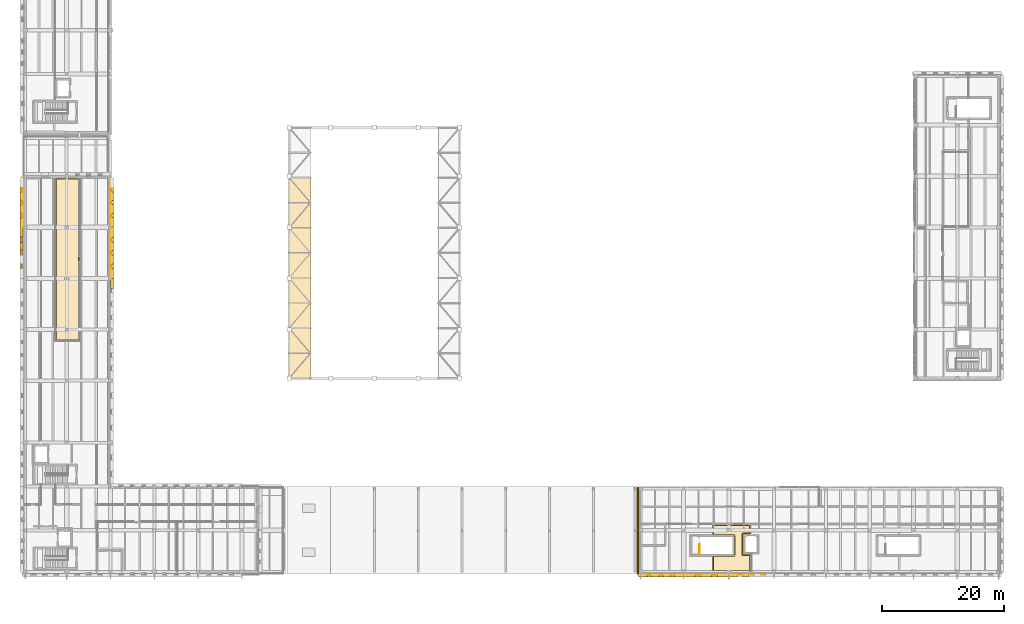
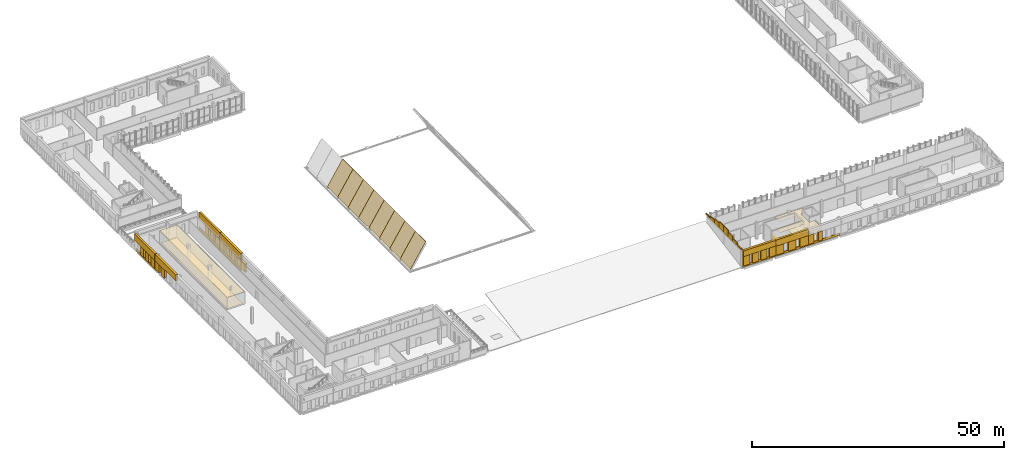
# One storey, part 50 of 56: 54 coverings, 1 railing.
"""IFC4 building model written with IfcOpenShell, lengths in metres."""

import ifcopenshell
import ifcopenshell.guid

model = None  # the IFC model being written
_history = None  # IfcOwnerHistory: only IFC2X3 demands one
_inside = {}  # id of a spatial element -> (the spatial element, [elements in it])
_under = {}  # id of a project, library or spatial element -> (it, [spatial elements below it])
_declared = {}  # id of a project -> (the project, [libraries it declares])
_typed = {}  # id of a type object -> (the type object, [elements of that type])
_made_of = {}  # id of a material, layer set ... -> (it, [elements and type objects made of it])


def new_model(schema):
    """Start an empty IFC model of exactly this schema.

    Asked for "IFC4X3", IfcOpenShell would pick the latest addendum, in which some entities
    have other attributes; the version numbers below select the first issue.
    IFC2X3 requires an IfcOwnerHistory on every rooted entity: one is made here for all.
    """
    global model, _history
    if schema == "IFC4X3":
        model = ifcopenshell.file(schema_version=(4, 3, 0, 0))
    else:
        model = ifcopenshell.file(schema=schema)
    _inside.clear()
    _under.clear()
    _declared.clear()
    _typed.clear()
    _made_of.clear()
    _history = None
    if model.schema == "IFC2X3":
        org = make("IfcOrganization", Name="unknown")
        user = make(
            "IfcPersonAndOrganization",
            ThePerson=make("IfcPerson", FamilyName="unknown"),
            TheOrganization=org,
        )
        app = make(
            "IfcApplication",
            ApplicationDeveloper=org,
            Version="unknown",
            ApplicationFullName="unknown",
            ApplicationIdentifier="unknown",
        )
        _history = make(
            "IfcOwnerHistory",
            OwningUser=user,
            OwningApplication=app,
            ChangeAction="ADDED",
            CreationDate=0,
        )
    return model


def make(cls, **values):
    """One entity of the class cls with the attributes given. An attribute that is None is left unset."""
    return model.create_entity(
        cls, **{name: value for name, value in values.items() if value is not None}
    )


def rooted(cls, **values):
    """An entity with a GlobalId (a new one), such as an element, a storey or a relation."""
    return make(cls, GlobalId=ifcopenshell.guid.new(), OwnerHistory=_history, **values)


def si_unit(unit_type, name, prefix=None):
    """IfcSIUnit, for example si_unit("LENGTHUNIT", "METRE", prefix="MILLI")."""
    return make("IfcSIUnit", UnitType=unit_type, Prefix=prefix, Name=name)


def assignment(units):
    """IfcUnitAssignment: the units of a project."""
    return None if units is None else make("IfcUnitAssignment", Units=units)


def point(xyz):
    """IfcCartesianPoint."""
    return None if xyz is None else make("IfcCartesianPoint", Coordinates=xyz)


def direction(xyz):
    """IfcDirection."""
    return None if xyz is None else make("IfcDirection", DirectionRatios=xyz)


def frame(location, z_axis=None, x_axis=None):
    """IfcAxis2Placement3D, a coordinate frame: its origin and axes. An axis left out is left unset."""
    return make(
        "IfcAxis2Placement3D",
        Location=point(location),
        Axis=direction(z_axis),
        RefDirection=direction(x_axis),
    )


def frame_2d(location, x_axis=None):
    """IfcAxis2Placement2D, a coordinate frame in the plane: its origin and x axis."""
    return make(
        "IfcAxis2Placement2D", Location=point(location), RefDirection=direction(x_axis)
    )


def origin():
    """The frame at (0, 0, 0) with its axes left unset."""
    return frame((0.0, 0.0, 0.0))


def origin_2d():
    """The frame at (0, 0) in the plane with its x axis left unset."""
    return frame_2d((0.0, 0.0))


def place(relative_to, where):
    """IfcLocalPlacement: puts the frame where relative to a parent placement (None: the world)."""
    return make(
        "IfcLocalPlacement", PlacementRelTo=relative_to, RelativePlacement=where
    )


def context(
    kind, dimensions, precision=None, world=None, true_north=None, identifier=None
):
    """IfcGeometricRepresentationContext, for example the 3D "Model" context."""
    return make(
        "IfcGeometricRepresentationContext",
        ContextIdentifier=identifier,
        ContextType=kind,
        CoordinateSpaceDimension=dimensions,
        Precision=precision,
        WorldCoordinateSystem=world,
        TrueNorth=true_north,
    )


def subcontext(parent, identifier, kind, view, scale=None):
    """IfcGeometricRepresentationSubContext, for example "Body" below "Model"."""
    return make(
        "IfcGeometricRepresentationSubContext",
        ContextIdentifier=identifier,
        ContextType=kind,
        ParentContext=parent,
        TargetScale=scale,
        TargetView=view,
    )


def project(units=None, contexts=None):
    """IfcProject with its units and contexts."""
    return rooted(
        "IfcProject",
        Name="project",
        RepresentationContexts=contexts,
        UnitsInContext=assignment(units),
    )


def spatial(cls, under=None, at=None, **own):
    """A site, building, storey or space (cls), placed at a placement, below another one or the project."""
    s = rooted(cls, ObjectPlacement=at, **own)
    if under is not None:
        _under.setdefault(under.id(), (under, []))[1].append(s)
    return s


def polyline(points):
    """IfcPolyline through the points."""
    return make("IfcPolyline", Points=[point(p) for p in points])


def profile(cls, at=None, kind="AREA", **sizes):
    """A parametric profile (cls). Its sizes go by their IFC names, for example OverallWidth=200.0."""
    return make(cls, ProfileType=kind, Position=at, **sizes)


def circle(**sizes):
    """IfcCircleProfileDef."""
    return profile("IfcCircleProfileDef", **sizes)


def outline(outer, holes=None, kind="AREA"):
    """IfcArbitraryClosedProfileDef: a profile drawn as a closed curve; with holes, ...WithVoids."""
    if holes is None:
        return make("IfcArbitraryClosedProfileDef", ProfileType=kind, OuterCurve=outer)
    return make(
        "IfcArbitraryProfileDefWithVoids",
        ProfileType=kind,
        OuterCurve=outer,
        InnerCurves=holes,
    )


def extrude(swept, where, along, depth):
    """IfcExtrudedAreaSolid: the profile swept, set in the frame where, extruded along a direction by depth."""
    return make(
        "IfcExtrudedAreaSolid",
        SweptArea=swept,
        Position=where,
        ExtrudedDirection=direction(along),
        Depth=depth,
    )


def shape(context_of_items, identifier, shape_type, items):
    """IfcShapeRepresentation: the items that make up one representation, for example the "Body"."""
    return make(
        "IfcShapeRepresentation",
        ContextOfItems=context_of_items,
        RepresentationIdentifier=identifier,
        RepresentationType=shape_type,
        Items=items,
    )


def material(Name=None, Category=None):
    """IfcMaterial."""
    return make("IfcMaterial", Name=Name, Category=Category)


def layer(
    of_material, thickness, ventilated=None, Name=None, Category=None, Priority=None
):
    """IfcMaterialLayer: one layer of a wall or slab, of a material (None: an air gap)."""
    return make(
        "IfcMaterialLayer",
        Material=of_material,
        LayerThickness=thickness,
        IsVentilated=ventilated,
        Name=Name,
        Category=Category,
        Priority=Priority,
    )


def layer_set(layers, Name=None):
    """IfcMaterialLayerSet."""
    return make("IfcMaterialLayerSet", MaterialLayers=layers, LayerSetName=Name)


def made_of(thing, what):
    """Note that an element or type object is made of a material, layer set ...; save() writes the relation."""
    if what is not None:
        _made_of.setdefault(what.id(), (what, []))[1].append(thing)
    return thing


def type_object(cls, material=None, **own):
    """A type object (cls), such as IfcWallType, which elements share."""
    return made_of(rooted(cls, **own), material)


def element(
    cls,
    number,
    at=None,
    inside=None,
    cuts=None,
    type_object=None,
    material=None,
    context=None,
    identifier="Body",
    shape_type=None,
    held_by="IfcProductDefinitionShape",
    body=None,
    shapes=None,
    **own,
):
    """One element of the class cls, such as IfcWall. Its Tag is "e" and its number.

    at: its placement. inside: the storey or other place that contains it. cuts: it is an
    opening in that element (IfcRelVoidsElement). A single representation is given by context,
    identifier, shape_type and body (its items); several are given by shapes. held_by: the class
    of the entity that holds the representations. save() writes the other relations.
    """
    e = rooted(cls, Tag="e%d" % number, ObjectPlacement=at, **own)
    if body is not None:
        shapes = [shape(context, identifier, shape_type, body)]
    if shapes is not None:
        e.Representation = make(held_by, Representations=shapes)
    if inside is not None:
        _inside.setdefault(inside.id(), (inside, []))[1].append(e)
    if cuts is not None:
        rooted(
            "IfcRelVoidsElement", RelatingBuildingElement=cuts, RelatedOpeningElement=e
        )
    if type_object is not None:
        _typed.setdefault(type_object.id(), (type_object, []))[1].append(e)
    return made_of(e, material)


def aggregate(whole, parts):
    """IfcRelAggregates: a whole, such as a stair, and the parts it consists of."""
    return rooted("IfcRelAggregates", RelatingObject=whole, RelatedObjects=parts)


def save(model, path):
    """Write the relations noted so far, then the file.

    IfcRelAggregates (storeys below a building ...), IfcRelContainedInSpatialStructure (elements
    in a storey), IfcRelDefinesByType, IfcRelAssociatesMaterial and IfcRelDeclares: one each for
    every whole, place, type object, material and project.
    """
    for whole, parts in _under.values():
        aggregate(whole, parts)
    for where, things in _inside.values():
        rooted(
            "IfcRelContainedInSpatialStructure",
            RelatedElements=things,
            RelatingStructure=where,
        )
    for kind, things in _typed.values():
        rooted("IfcRelDefinesByType", RelatedObjects=things, RelatingType=kind)
    for what, things in _made_of.values():
        rooted("IfcRelAssociatesMaterial", RelatedObjects=things, RelatingMaterial=what)
    for by, libraries in _declared.values():
        rooted("IfcRelDeclares", RelatingContext=by, RelatedDefinitions=libraries)
    model.write(path)


model = new_model("IFC4")

# Units and contexts
model_context = context("Model", 3, precision=1e-05, world=origin(), true_north=direction((0.0, 1.0)))
body_context = subcontext(model_context, "Body", "Model", "MODEL_VIEW")
ifc_project = project(units=[si_unit("LENGTHUNIT", "METRE"), si_unit("AREAUNIT", "SQUARE_METRE"), si_unit("VOLUMEUNIT", "CUBIC_METRE"), si_unit("PLANEANGLEUNIT", "RADIAN"), si_unit("MASSUNIT", "GRAM", prefix="KILO")], contexts=[model_context])

# Site, building, storey
site_placement = place(None, origin())
site = spatial("IfcSite", under=ifc_project, at=site_placement, CompositionType="ELEMENT")
building_placement = place(site_placement, origin())
building = spatial("IfcBuilding", under=site, at=building_placement, Name="Vardoun Plaza Health Centre", CompositionType="ELEMENT")
storey_placement = place(building_placement, frame((0.0, 0.0, 8.699951171875)))
storey = spatial("IfcBuildingStorey", under=building, at=storey_placement, Name="L02", CompositionType="ELEMENT", Elevation=8.699951171875)

# Coverings
ifc_material_1 = material(Name="Hygienic Acoustic Mineral-Fibre Ceiling", Category="concrete")
ifc_layer_1 = layer(ifc_material_1, 0.02490234375)
ifc_layer_set_1 = layer_set([ifc_layer_1], Name="Hygienic Acoustic Mineral-Fibre Ceiling")
covering_type_1 = type_object("IfcCoveringType", Name="CL-01", PredefinedType="CEILING", material=ifc_layer_set_1)
covering_1_placement = place(storey_placement, frame((0.0, 0.0, 2.880126953125)))
element("IfcCovering", 1, at=covering_1_placement, inside=storey, type_object=covering_type_1, Name="Dermatology Minor Procedure Room Acoustic Ceiling", PredefinedType="CEILING", context=body_context, shape_type="SweptSolid", body=[
    extrude(outline(polyline([(9.85009765625, 69.639892578125), (13.820068359375, 69.639892578125), (13.820068359375, 42.875), (9.85009765625, 42.875), (9.85009765625, 69.639892578125)])), origin(), (0.0, 0.0, 1.0), 0.02490234375),
])
covering_2_placement = place(storey_placement, frame((0.0, 0.0, 2.864990234375)))
element("IfcCovering", 2, at=covering_2_placement, inside=storey, type_object=covering_type_1, Name="Day Surgery Operating Theatre 1 A Acoustic Ceiling", PredefinedType="CEILING", context=body_context, shape_type="SweptSolid", body=[
    extrude(outline(polyline([(117.85009765625, 7.590087890625), (121.300048828125, 7.590087890625), (121.301025390625, 7.590087890625), (121.302001953125, 7.590087890625), (121.302978515625, 7.59033203125), (121.3037109375, 7.5908203125), (121.3046875, 7.59130859375), (121.3056640625, 7.591796875), (121.306396484375, 7.59228515625), (121.30712890625, 7.593017578125), (121.3076171875, 7.59375), (121.308349609375, 7.594482421875), (121.308837890625, 7.59521484375), (121.30908203125, 7.59619140625), (121.3095703125, 7.59716796875), (121.309814453125, 7.597900390625), (121.31005859375, 7.59912109375), (121.31005859375, 7.60009765625), (121.31005859375, 10.800048828125), (121.31005859375, 10.801025390625), (121.309814453125, 10.802001953125), (121.3095703125, 10.802978515625), (121.30908203125, 10.8037109375), (121.308837890625, 10.8046875), (121.308349609375, 10.8056640625), (121.3076171875, 10.806396484375), (121.30712890625, 10.80712890625), (121.306396484375, 10.8076171875), (121.3056640625, 10.808349609375), (121.3046875, 10.808837890625), (121.3037109375, 10.80908203125), (121.302978515625, 10.8095703125), (121.302001953125, 10.809814453125), (121.301025390625, 10.81005859375), (121.300048828125, 10.81005859375), (117.85009765625, 10.81005859375), (117.85009765625, 12.719970703125), (124.14990234375, 12.719970703125), (124.14990234375, 11.06005859375), (122.89990234375, 11.06005859375), (122.89892578125, 11.06005859375), (122.89794921875, 11.059814453125), (122.897216796875, 11.0595703125), (122.896240234375, 11.05908203125), (122.895263671875, 11.058837890625), (122.894287109375, 11.058349609375), (122.893798828125, 11.0576171875), (122.892822265625, 11.05712890625), (122.892333984375, 11.056396484375), (122.8916015625, 11.0556640625), (122.89111328125, 11.0546875), (122.890869140625, 11.0537109375), (122.890380859375, 11.052978515625), (122.89013671875, 11.052001953125), (122.889892578125, 11.051025390625), (122.889892578125, 11.050048828125), (122.889892578125, 7.75), (122.889892578125, 7.7490234375), (122.89013671875, 7.748046875), (122.890380859375, 7.7470703125), (122.890869140625, 7.74609375), (122.89111328125, 7.745361328125), (122.8916015625, 7.744384765625), (122.892333984375, 7.74365234375), (122.892822265625, 7.742919921875), (122.893798828125, 7.7421875), (122.894287109375, 7.74169921875), (122.895263671875, 7.7412109375), (122.896240234375, 7.74072265625), (122.897216796875, 7.740478515625), (122.89794921875, 7.740234375), (122.89892578125, 7.739990234375), (122.89990234375, 7.739990234375), (124.14990234375, 7.739990234375), (124.14990234375, 4.860107421875), (117.85009765625, 4.860107421875), (117.85009765625, 7.590087890625)])), origin(), (0.0, 0.0, 1.0), 0.025146484375),
])
ifc_material_2 = material(Name="Pale Limestone Concrete C35/45", Category="masonry")
ifc_layer_2 = layer(ifc_material_2, 0.080078125)
ifc_layer_set_2 = layer_set([ifc_layer_2], Name="Pale Limestone Concrete C35/45")
covering_type_2 = type_object("IfcCoveringType", Name="CL-EXT1", PredefinedType="CLADDING", material=ifc_layer_set_2)
covering_3_placement = place(storey_placement, origin())
element("IfcCovering", 3, at=covering_3_placement, inside=storey, type_object=covering_type_2, Name="V2 L02 Pale Concrete Sill Band 178", PredefinedType="CLADDING", context=body_context, shape_type="SweptSolid", body=[
    extrude(outline(polyline([(18.89990234375, 69.635009765625), (18.89990234375, 61.52001953125), (19.0400390625, 61.52001953125), (19.0400390625, 69.635009765625), (18.89990234375, 69.635009765625)])), origin(), (0.0, 0.0, 1.0), 0.550048828125),
])
covering_4_placement = place(storey_placement, frame((0.0, 0.0, 2.68994140625)))
element("IfcCovering", 4, at=covering_4_placement, inside=storey, type_object=covering_type_2, Name="V2 L02 Sculpted Concrete Eyebrow Hood 179", PredefinedType="CLADDING", context=body_context, shape_type="SweptSolid", body=[
    extrude(outline(polyline([(18.89990234375, 69.635009765625), (18.89990234375, 61.52001953125), (19.3798828125, 61.52001953125), (19.3798828125, 69.635009765625), (18.89990234375, 69.635009765625)])), origin(), (0.0, 0.0, 1.0), 1.510009765625),
])
covering_5_placement = place(storey_placement, frame((0.0, 0.0, 0.550048828125)))
element("IfcCovering", 5, at=covering_5_placement, inside=storey, type_object=covering_type_2, Name="V2 L02 Deep-Punched Slot Concrete Reveal Pier 181", PredefinedType="CLADDING", context=body_context, shape_type="SweptSolid", body=[
    extrude(outline(polyline([(18.89990234375, 67.352783203125), (18.89990234375, 65.922607421875), (19.3798828125, 65.922607421875), (19.3798828125, 67.352783203125), (18.89990234375, 67.352783203125)])), origin(), (0.0, 0.0, 1.0), 2.139892578125),
])
covering_6_placement = place(storey_placement, frame((0.0, 0.0, 0.550048828125)))
element("IfcCovering", 6, at=covering_6_placement, inside=storey, type_object=covering_type_2, Name="V2 L02 Deep-Punched Slot Concrete Reveal Pier 182", PredefinedType="CLADDING", context=body_context, shape_type="SweptSolid", body=[
    extrude(outline(polyline([(18.89990234375, 65.232421875), (18.89990234375, 63.80224609375), (19.3798828125, 63.80224609375), (19.3798828125, 65.232421875), (18.89990234375, 65.232421875)])), origin(), (0.0, 0.0, 1.0), 2.139892578125),
])
covering_7_placement = place(storey_placement, frame((0.0, 0.0, 0.550048828125)))
element("IfcCovering", 7, at=covering_7_placement, inside=storey, type_object=covering_type_2, Name="V2 L02 Deep-Punched Slot Concrete Reveal Pier 183", PredefinedType="CLADDING", context=body_context, shape_type="SweptSolid", body=[
    extrude(outline(polyline([(18.89990234375, 63.1123046875), (18.89990234375, 61.52001953125), (19.3798828125, 61.52001953125), (19.3798828125, 63.1123046875), (18.89990234375, 63.1123046875)])), origin(), (0.0, 0.0, 1.0), 2.139892578125),
])
covering_8_placement = place(storey_placement, origin())
element("IfcCovering", 8, at=covering_8_placement, inside=storey, type_object=covering_type_2, Name="V2 L02 Pale Concrete Sill Band 184", PredefinedType="CLADDING", context=body_context, shape_type="SweptSolid", body=[
    extrude(outline(polyline([(18.89990234375, 61.47998046875), (18.89990234375, 53.1201171875), (19.0400390625, 53.1201171875), (19.0400390625, 61.47998046875), (18.89990234375, 61.47998046875)])), origin(), (0.0, 0.0, 1.0), 0.550048828125),
])
covering_9_placement = place(storey_placement, frame((0.0, 0.0, 2.68994140625)))
element("IfcCovering", 9, at=covering_9_placement, inside=storey, type_object=covering_type_2, Name="V2 L02 Sculpted Concrete Eyebrow Hood 185", PredefinedType="CLADDING", context=body_context, shape_type="SweptSolid", body=[
    extrude(outline(polyline([(18.89990234375, 61.47998046875), (18.89990234375, 53.1201171875), (19.3798828125, 53.1201171875), (19.3798828125, 61.47998046875), (18.89990234375, 61.47998046875)])), origin(), (0.0, 0.0, 1.0), 1.510009765625),
])
covering_10_placement = place(storey_placement, frame((0.0, 0.0, 0.550048828125)))
element("IfcCovering", 10, at=covering_10_placement, inside=storey, type_object=covering_type_2, Name="V2 L02 Deep-Punched Slot Concrete Reveal Pier 186", PredefinedType="CLADDING", context=body_context, shape_type="SweptSolid", body=[
    extrude(outline(polyline([(18.89990234375, 61.47998046875), (18.89990234375, 59.85888671875), (19.3798828125, 59.85888671875), (19.3798828125, 61.47998046875), (18.89990234375, 61.47998046875)])), origin(), (0.0, 0.0, 1.0), 2.139892578125),
])
covering_11_placement = place(storey_placement, frame((0.0, 0.0, 0.550048828125)))
element("IfcCovering", 11, at=covering_11_placement, inside=storey, type_object=covering_type_2, Name="V2 L02 Deep-Punched Slot Concrete Reveal Pier 187", PredefinedType="CLADDING", context=body_context, shape_type="SweptSolid", body=[
    extrude(outline(polyline([(18.89990234375, 59.10888671875), (18.89990234375, 57.675048828125), (19.3798828125, 57.675048828125), (19.3798828125, 59.10888671875), (18.89990234375, 59.10888671875)])), origin(), (0.0, 0.0, 1.0), 2.139892578125),
])
covering_12_placement = place(storey_placement, frame((0.0, 0.0, 0.550048828125)))
element("IfcCovering", 12, at=covering_12_placement, inside=storey, type_object=covering_type_2, Name="V2 L02 Deep-Punched Slot Concrete Reveal Pier 188", PredefinedType="CLADDING", context=body_context, shape_type="SweptSolid", body=[
    extrude(outline(polyline([(18.89990234375, 56.925048828125), (18.89990234375, 55.490966796875), (19.3798828125, 55.490966796875), (19.3798828125, 56.925048828125), (18.89990234375, 56.925048828125)])), origin(), (0.0, 0.0, 1.0), 2.139892578125),
])
covering_13_placement = place(storey_placement, frame((0.0, 0.0, 0.550048828125)))
element("IfcCovering", 13, at=covering_13_placement, inside=storey, type_object=covering_type_2, Name="V2 L02 Deep-Punched Slot Concrete Reveal Pier 189", PredefinedType="CLADDING", context=body_context, shape_type="SweptSolid", body=[
    extrude(outline(polyline([(18.89990234375, 54.740966796875), (18.89990234375, 53.1201171875), (19.3798828125, 53.1201171875), (19.3798828125, 54.740966796875), (18.89990234375, 54.740966796875)])), origin(), (0.0, 0.0, 1.0), 2.139892578125),
])
covering_14_placement = place(storey_placement, frame((0.0, 0.0, 0.550048828125)))
element("IfcCovering", 14, at=covering_14_placement, inside=storey, type_object=covering_type_2, Name="V2 L02 Deep-Punched Slot Concrete Reveal Pier 192", PredefinedType="CLADDING", context=body_context, shape_type="SweptSolid", body=[
    extrude(outline(polyline([(18.89990234375, 53.080078125), (18.89990234375, 51.489013671875), (19.3798828125, 51.489013671875), (19.3798828125, 53.080078125), (18.89990234375, 53.080078125)])), origin(), (0.0, 0.0, 1.0), 2.06005859375),
])
covering_15_placement = place(storey_placement, frame((0.0, 0.0, 2.670166015625)))
element("IfcCovering", 15, at=covering_15_placement, inside=storey, type_object=covering_type_2, Name="V2 L02 Sculpted Concrete Eyebrow Hood 309", PredefinedType="CLADDING", context=body_context, shape_type="SweptSolid", body=[
    extrude(outline(polyline([(4.5, 53.1201171875), (4.5, 61.47998046875), (4.02001953125, 61.47998046875), (4.02001953125, 53.1201171875), (4.5, 53.1201171875)])), origin(), (0.0, 0.0, 1.0), 1.52978515625),
])
covering_16_placement = place(storey_placement, frame((0.0, 0.0, 0.550048828125)))
element("IfcCovering", 16, at=covering_16_placement, inside=storey, type_object=covering_type_2, Name="V2 L02 Deep-Punched Slot Concrete Reveal Pier 312", PredefinedType="CLADDING", context=body_context, shape_type="SweptSolid", body=[
    extrude(outline(polyline([(4.5, 57.739990234375), (4.5, 59.0439453125), (4.02001953125, 59.0439453125), (4.02001953125, 57.739990234375), (4.5, 57.739990234375)])), origin(), (0.0, 0.0, 1.0), 2.1201171875),
])
covering_17_placement = place(storey_placement, frame((0.0, 0.0, 0.550048828125)))
element("IfcCovering", 17, at=covering_17_placement, inside=storey, type_object=covering_type_2, Name="V2 L02 Deep-Punched Slot Concrete Reveal Pier 313", PredefinedType="CLADDING", context=body_context, shape_type="SweptSolid", body=[
    extrude(outline(polyline([(4.5, 59.924072265625), (4.5, 61.47998046875), (4.02001953125, 61.47998046875), (4.02001953125, 59.924072265625), (4.5, 59.924072265625)])), origin(), (0.0, 0.0, 1.0), 2.1201171875),
])
covering_18_placement = place(storey_placement, origin())
element("IfcCovering", 18, at=covering_18_placement, inside=storey, type_object=covering_type_2, Name="V2 L02 Pale Concrete Sill Band 314", PredefinedType="CLADDING", context=body_context, shape_type="SweptSolid", body=[
    extrude(outline(polyline([(4.5, 61.52001953125), (4.5, 69.635009765625), (4.360107421875, 69.635009765625), (4.360107421875, 61.52001953125), (4.5, 61.52001953125)])), origin(), (0.0, 0.0, 1.0), 0.550048828125),
])
covering_19_placement = place(storey_placement, frame((0.0, 0.0, 2.670166015625)))
element("IfcCovering", 19, at=covering_19_placement, inside=storey, type_object=covering_type_2, Name="V2 L02 Sculpted Concrete Eyebrow Hood 315", PredefinedType="CLADDING", context=body_context, shape_type="SweptSolid", body=[
    extrude(outline(polyline([(4.5, 61.52001953125), (4.5, 69.635009765625), (4.02001953125, 69.635009765625), (4.02001953125, 61.52001953125), (4.5, 61.52001953125)])), origin(), (0.0, 0.0, 1.0), 1.52978515625),
])
covering_20_placement = place(storey_placement, frame((0.0, 0.0, 0.550048828125)))
element("IfcCovering", 20, at=covering_20_placement, inside=storey, type_object=covering_type_2, Name="V2 L02 Deep-Punched Slot Concrete Reveal Pier 316", PredefinedType="CLADDING", context=body_context, shape_type="SweptSolid", body=[
    extrude(outline(polyline([(4.5, 61.52001953125), (4.5, 62.997314453125), (4.02001953125, 62.997314453125), (4.02001953125, 61.52001953125), (4.5, 61.52001953125)])), origin(), (0.0, 0.0, 1.0), 2.1201171875),
])
covering_21_placement = place(storey_placement, frame((0.0, 0.0, 0.550048828125)))
element("IfcCovering", 21, at=covering_21_placement, inside=storey, type_object=covering_type_2, Name="V2 L02 Deep-Punched Slot Concrete Reveal Pier 317", PredefinedType="CLADDING", context=body_context, shape_type="SweptSolid", body=[
    extrude(outline(polyline([(4.5, 63.917236328125), (4.5, 65.117431640625), (4.02001953125, 65.117431640625), (4.02001953125, 63.917236328125), (4.5, 63.917236328125)])), origin(), (0.0, 0.0, 1.0), 2.1201171875),
])
covering_22_placement = place(storey_placement, frame((0.0, 0.0, 0.550048828125)))
element("IfcCovering", 22, at=covering_22_placement, inside=storey, type_object=covering_type_2, Name="V2 L02 Deep-Punched Slot Concrete Reveal Pier 318", PredefinedType="CLADDING", context=body_context, shape_type="SweptSolid", body=[
    extrude(outline(polyline([(4.5, 66.03759765625), (4.5, 67.23779296875), (4.02001953125, 67.23779296875), (4.02001953125, 66.03759765625), (4.5, 66.03759765625)])), origin(), (0.0, 0.0, 1.0), 2.1201171875),
])
covering_23_placement = place(storey_placement, origin())
element("IfcCovering", 23, at=covering_23_placement, inside=storey, type_object=covering_type_2, Name="V5 L02 Pale Concrete Sill Band 1224", PredefinedType="CLADDING", context=body_context, shape_type="SweptSolid", body=[
    extrude(outline(polyline([(127.9599609375, 4.5), (120.56005859375, 4.5), (120.56005859375, 4.360107421875), (127.9599609375, 4.360107421875), (127.9599609375, 4.5)])), origin(), (0.0, 0.0, 1.0), 0.550048828125),
])
covering_24_placement = place(storey_placement, frame((0.0, 0.0, 0.550048828125)))
element("IfcCovering", 24, at=covering_24_placement, inside=storey, type_object=covering_type_2, Name="V5 L02 Deep-Punched Slot Concrete Reveal Pier 1228", PredefinedType="CLADDING", context=body_context, shape_type="SweptSolid", body=[
    extrude(outline(polyline([(123.7900390625, 4.5), (122.795654296875, 4.5), (122.795654296875, 4.02001953125), (123.7900390625, 4.02001953125), (123.7900390625, 4.5)])), origin(), (0.0, 0.0, 1.0), 2.179931640625),
])
covering_25_placement = place(storey_placement, frame((0.0, 0.0, 0.550048828125)))
element("IfcCovering", 25, at=covering_25_placement, inside=storey, type_object=covering_type_2, Name="V5 L02 Deep-Punched Slot Concrete Reveal Pier 1229", PredefinedType="CLADDING", context=body_context, shape_type="SweptSolid", body=[
    extrude(outline(polyline([(121.855712890625, 4.5), (120.56005859375, 4.5), (120.56005859375, 4.02001953125), (121.855712890625, 4.02001953125), (121.855712890625, 4.5)])), origin(), (0.0, 0.0, 1.0), 2.179931640625),
])
covering_26_placement = place(storey_placement, origin())
element("IfcCovering", 26, at=covering_26_placement, inside=storey, type_object=covering_type_2, Name="V5 L02 Pale Concrete Sill Band 1230", PredefinedType="CLADDING", context=body_context, shape_type="SweptSolid", body=[
    extrude(outline(polyline([(120.52001953125, 4.5), (113.1201171875, 4.5), (113.1201171875, 4.360107421875), (120.52001953125, 4.360107421875), (120.52001953125, 4.5)])), origin(), (0.0, 0.0, 1.0), 0.550048828125),
])
covering_27_placement = place(storey_placement, frame((0.0, 0.0, 2.72998046875)))
element("IfcCovering", 27, at=covering_27_placement, inside=storey, type_object=covering_type_2, Name="V5 L02 Sculpted Concrete Eyebrow Hood 1231", PredefinedType="CLADDING", context=body_context, shape_type="SweptSolid", body=[
    extrude(outline(polyline([(120.52001953125, 4.5), (113.1201171875, 4.5), (113.1201171875, 4.02001953125), (120.52001953125, 4.02001953125), (120.52001953125, 4.5)])), origin(), (0.0, 0.0, 1.0), 1.469970703125),
])
covering_28_placement = place(storey_placement, frame((0.0, 0.0, 0.550048828125)))
element("IfcCovering", 28, at=covering_28_placement, inside=storey, type_object=covering_type_2, Name="V5 L02 Deep-Punched Slot Concrete Reveal Pier 1232", PredefinedType="CLADDING", context=body_context, shape_type="SweptSolid", body=[
    extrude(outline(polyline([(120.52001953125, 4.5), (118.649169921875, 4.5), (118.649169921875, 4.02001953125), (120.52001953125, 4.02001953125), (120.52001953125, 4.5)])), origin(), (0.0, 0.0, 1.0), 2.179931640625),
])
covering_29_placement = place(storey_placement, frame((0.0, 0.0, 0.550048828125)))
element("IfcCovering", 29, at=covering_29_placement, inside=storey, type_object=covering_type_2, Name="V5 L02 Deep-Punched Slot Concrete Reveal Pier 1233", PredefinedType="CLADDING", context=body_context, shape_type="SweptSolid", body=[
    extrude(outline(polyline([(117.669189453125, 4.5), (115.970703125, 4.5), (115.970703125, 4.02001953125), (117.669189453125, 4.02001953125), (117.669189453125, 4.5)])), origin(), (0.0, 0.0, 1.0), 2.179931640625),
])
covering_30_placement = place(storey_placement, frame((0.0, 0.0, 0.550048828125)))
element("IfcCovering", 30, at=covering_30_placement, inside=storey, type_object=covering_type_2, Name="V5 L02 Deep-Punched Slot Concrete Reveal Pier 1234", PredefinedType="CLADDING", context=body_context, shape_type="SweptSolid", body=[
    extrude(outline(polyline([(114.99072265625, 4.5), (113.1201171875, 4.5), (113.1201171875, 4.02001953125), (114.99072265625, 4.02001953125), (114.99072265625, 4.5)])), origin(), (0.0, 0.0, 1.0), 2.179931640625),
])
covering_31_placement = place(storey_placement, origin())
element("IfcCovering", 31, at=covering_31_placement, inside=storey, type_object=covering_type_2, Name="V5 L02 Pale Concrete Sill Band 1235", PredefinedType="CLADDING", context=body_context, shape_type="SweptSolid", body=[
    extrude(outline(polyline([(113.080078125, 4.5), (105.679931640625, 4.5), (105.679931640625, 4.360107421875), (113.080078125, 4.360107421875), (113.080078125, 4.5)])), origin(), (0.0, 0.0, 1.0), 0.550048828125),
])
covering_32_placement = place(storey_placement, frame((0.0, 0.0, 2.830078125)))
element("IfcCovering", 32, at=covering_32_placement, inside=storey, type_object=covering_type_2, Name="V5 L02 Sculpted Concrete Eyebrow Hood 1236", PredefinedType="CLADDING", context=body_context, shape_type="SweptSolid", body=[
    extrude(outline(polyline([(113.080078125, 4.5), (105.679931640625, 4.5), (105.679931640625, 4.02001953125), (113.080078125, 4.02001953125), (113.080078125, 4.5)])), origin(), (0.0, 0.0, 1.0), 1.369873046875),
])
covering_33_placement = place(storey_placement, frame((0.0, 0.0, 0.550048828125)))
element("IfcCovering", 33, at=covering_33_placement, inside=storey, type_object=covering_type_2, Name="V5 L02 Deep-Punched Slot Concrete Reveal Pier 1237", PredefinedType="CLADDING", context=body_context, shape_type="SweptSolid", body=[
    extrude(outline(polyline([(113.080078125, 4.5), (111.634521484375, 4.5), (111.634521484375, 4.02001953125), (113.080078125, 4.02001953125), (113.080078125, 4.5)])), origin(), (0.0, 0.0, 1.0), 2.280029296875),
])
covering_34_placement = place(storey_placement, frame((0.0, 0.0, 0.550048828125)))
element("IfcCovering", 34, at=covering_34_placement, inside=storey, type_object=covering_type_2, Name="V5 L02 Deep-Punched Slot Concrete Reveal Pier 1238", PredefinedType="CLADDING", context=body_context, shape_type="SweptSolid", body=[
    extrude(outline(polyline([(110.994384765625, 4.5), (109.699951171875, 4.5), (109.699951171875, 4.02001953125), (110.994384765625, 4.02001953125), (110.994384765625, 4.5)])), origin(), (0.0, 0.0, 1.0), 2.280029296875),
])
covering_35_placement = place(storey_placement, frame((0.0, 0.0, 0.550048828125)))
element("IfcCovering", 35, at=covering_35_placement, inside=storey, type_object=covering_type_2, Name="V5 L02 Deep-Punched Slot Concrete Reveal Pier 1239", PredefinedType="CLADDING", context=body_context, shape_type="SweptSolid", body=[
    extrude(outline(polyline([(109.06005859375, 4.5), (107.765625, 4.5), (107.765625, 4.02001953125), (109.06005859375, 4.02001953125), (109.06005859375, 4.5)])), origin(), (0.0, 0.0, 1.0), 2.280029296875),
])
covering_36_placement = place(storey_placement, frame((0.0, 0.0, 0.550048828125)))
element("IfcCovering", 36, at=covering_36_placement, inside=storey, type_object=covering_type_2, Name="V5 L02 Deep-Punched Slot Concrete Reveal Pier 1240", PredefinedType="CLADDING", context=body_context, shape_type="SweptSolid", body=[
    extrude(outline(polyline([(107.12548828125, 4.5), (105.679931640625, 4.5), (105.679931640625, 4.02001953125), (107.12548828125, 4.02001953125), (107.12548828125, 4.5)])), origin(), (0.0, 0.0, 1.0), 2.280029296875),
])
covering_37_placement = place(storey_placement, frame((0.0, 0.0, 4.199951171875)))
element("IfcCovering", 37, at=covering_37_placement, inside=storey, type_object=covering_type_2, Name="Sculpted Concrete Roof Gable Cladding V5-W.1", PredefinedType="CLADDING", context=body_context, shape_type="SweptSolid", body=[
    extrude(outline(polyline([(105.719970703125, 4.5400390625), (105.719970703125, 6.3173828125), (105.5, 6.3173828125), (105.5, 4.5400390625), (105.719970703125, 4.5400390625)])), origin(), (0.0, 0.0, 1.0), 0.215087890625),
])
covering_38_placement = place(storey_placement, frame((0.0, 0.0, 4.199951171875)))
element("IfcCovering", 38, at=covering_38_placement, inside=storey, type_object=covering_type_2, Name="Sculpted Concrete Roof Gable Cladding V5-W.2", PredefinedType="CLADDING", context=body_context, shape_type="SweptSolid", body=[
    extrude(outline(polyline([(105.719970703125, 6.3173828125), (105.719970703125, 8.094970703125), (105.5, 8.094970703125), (105.5, 6.3173828125), (105.719970703125, 6.3173828125)])), origin(), (0.0, 0.0, 1.0), 0.64501953125),
])
covering_39_placement = place(storey_placement, frame((0.0, 0.0, 4.199951171875)))
element("IfcCovering", 39, at=covering_39_placement, inside=storey, type_object=covering_type_2, Name="Sculpted Concrete Roof Gable Cladding V5-W.3", PredefinedType="CLADDING", context=body_context, shape_type="SweptSolid", body=[
    extrude(outline(polyline([(105.719970703125, 8.094970703125), (105.719970703125, 9.87255859375), (105.5, 9.87255859375), (105.5, 8.094970703125), (105.719970703125, 8.094970703125)])), origin(), (0.0, 0.0, 1.0), 1.0751953125),
])
covering_40_placement = place(storey_placement, frame((0.0, 0.0, 4.199951171875)))
element("IfcCovering", 40, at=covering_40_placement, inside=storey, type_object=covering_type_2, Name="Sculpted Concrete Roof Gable Cladding V5-W.4", PredefinedType="CLADDING", context=body_context, shape_type="SweptSolid", body=[
    extrude(outline(polyline([(105.719970703125, 9.87255859375), (105.719970703125, 11.64990234375), (105.5, 11.64990234375), (105.5, 9.87255859375), (105.719970703125, 9.87255859375)])), origin(), (0.0, 0.0, 1.0), 1.505126953125),
])
covering_41_placement = place(storey_placement, frame((0.0, 0.0, 4.199951171875)))
element("IfcCovering", 41, at=covering_41_placement, inside=storey, type_object=covering_type_2, Name="Sculpted Concrete Roof Gable Cladding V5-W.5", PredefinedType="CLADDING", context=body_context, shape_type="SweptSolid", body=[
    extrude(outline(polyline([(105.719970703125, 11.64990234375), (105.719970703125, 13.427490234375), (105.5, 13.427490234375), (105.5, 11.64990234375), (105.719970703125, 11.64990234375)])), origin(), (0.0, 0.0, 1.0), 1.505126953125),
])
covering_42_placement = place(storey_placement, frame((0.0, 0.0, 4.199951171875)))
element("IfcCovering", 42, at=covering_42_placement, inside=storey, type_object=covering_type_2, Name="Sculpted Concrete Roof Gable Cladding V5-W.6", PredefinedType="CLADDING", context=body_context, shape_type="SweptSolid", body=[
    extrude(outline(polyline([(105.719970703125, 13.427490234375), (105.719970703125, 15.205078125), (105.5, 15.205078125), (105.5, 13.427490234375), (105.719970703125, 13.427490234375)])), origin(), (0.0, 0.0, 1.0), 1.0751953125),
])
covering_43_placement = place(storey_placement, frame((0.0, 0.0, 4.199951171875)))
element("IfcCovering", 43, at=covering_43_placement, inside=storey, type_object=covering_type_2, Name="Sculpted Concrete Roof Gable Cladding V5-W.7", PredefinedType="CLADDING", context=body_context, shape_type="SweptSolid", body=[
    extrude(outline(polyline([(105.719970703125, 15.205078125), (105.719970703125, 16.982421875), (105.5, 16.982421875), (105.5, 15.205078125), (105.719970703125, 15.205078125)])), origin(), (0.0, 0.0, 1.0), 0.64501953125),
])
covering_44_placement = place(storey_placement, frame((0.0, 0.0, 4.199951171875)))
element("IfcCovering", 44, at=covering_44_placement, inside=storey, type_object=covering_type_2, Name="Sculpted Concrete Roof Gable Cladding V5-W.8", PredefinedType="CLADDING", context=body_context, shape_type="SweptSolid", body=[
    extrude(outline(polyline([(105.719970703125, 16.982421875), (105.719970703125, 18.760009765625), (105.5, 18.760009765625), (105.5, 16.982421875), (105.719970703125, 16.982421875)])), origin(), (0.0, 0.0, 1.0), 0.215087890625),
])
ifc_material_3 = material(Name="Seamless Conductive Clinical Vinyl Flooring", Category="concrete")
ifc_layer_3 = layer(ifc_material_3, 0.014892578125)
ifc_layer_set_3 = layer_set([ifc_layer_3], Name="Seamless Conductive Clinical Vinyl Flooring")
covering_type_3 = type_object("IfcCoveringType", Name="FL-01", PredefinedType="FLOORING", material=ifc_layer_set_3)
covering_45_placement = place(storey_placement, origin())
element("IfcCovering", 45, at=covering_45_placement, inside=storey, type_object=covering_type_3, Name="Dermatology Minor Procedure Room Floor Finish", PredefinedType="FLOORING", context=body_context, shape_type="SweptSolid", body=[
    extrude(outline(polyline([(10.06005859375, 69.429931640625), (13.610107421875, 69.429931640625), (13.610107421875, 43.0849609375), (10.06005859375, 43.0849609375), (10.06005859375, 69.429931640625)])), origin(), (0.0, 0.0, 1.0), 0.01513671875),
])
covering_46_placement = place(storey_placement, origin())
element("IfcCovering", 46, at=covering_46_placement, inside=storey, type_object=covering_type_3, Name="Day Surgery Operating Theatre 1 A Floor Finish", PredefinedType="FLOORING", context=body_context, shape_type="SweptSolid", body=[
    extrude(outline(polyline([(118.06005859375, 7.3798828125), (121.300048828125, 7.3798828125), (121.321533203125, 7.381103515625), (121.343017578125, 7.38427734375), (121.364013671875, 7.389404296875), (121.38427734375, 7.396728515625), (121.40380859375, 7.406005859375), (121.422119140625, 7.4169921875), (121.439697265625, 7.429931640625), (121.45556640625, 7.4443359375), (121.47021484375, 7.46044921875), (121.48291015625, 7.477783203125), (121.493896484375, 7.496337890625), (121.50341796875, 7.515869140625), (121.510498046875, 7.5361328125), (121.515869140625, 7.55712890625), (121.518798828125, 7.578369140625), (121.52001953125, 7.60009765625), (121.52001953125, 10.800048828125), (121.518798828125, 10.821533203125), (121.515869140625, 10.843017578125), (121.510498046875, 10.864013671875), (121.50341796875, 10.88427734375), (121.493896484375, 10.90380859375), (121.48291015625, 10.922119140625), (121.47021484375, 10.939697265625), (121.45556640625, 10.95556640625), (121.439697265625, 10.97021484375), (121.422119140625, 10.98291015625), (121.40380859375, 10.993896484375), (121.38427734375, 11.00341796875), (121.364013671875, 11.010498046875), (121.343017578125, 11.015869140625), (121.321533203125, 11.018798828125), (121.300048828125, 11.02001953125), (118.06005859375, 11.02001953125), (118.06005859375, 12.510009765625), (123.93994140625, 12.510009765625), (123.93994140625, 11.27001953125), (122.89990234375, 11.27001953125), (122.87841796875, 11.268798828125), (122.857177734375, 11.265869140625), (122.836181640625, 11.260498046875), (122.81591796875, 11.25341796875), (122.79638671875, 11.243896484375), (122.77783203125, 11.23291015625), (122.760498046875, 11.22021484375), (122.744384765625, 11.20556640625), (122.72998046875, 11.189697265625), (122.717041015625, 11.172119140625), (122.7060546875, 11.15380859375), (122.69677734375, 11.13427734375), (122.689453125, 11.114013671875), (122.68408203125, 11.093017578125), (122.68115234375, 11.071533203125), (122.679931640625, 11.050048828125), (122.679931640625, 7.75), (122.68115234375, 7.728515625), (122.68408203125, 7.70703125), (122.689453125, 7.68603515625), (122.69677734375, 7.665771484375), (122.7060546875, 7.646240234375), (122.717041015625, 7.627685546875), (122.72998046875, 7.6103515625), (122.744384765625, 7.594482421875), (122.760498046875, 7.579833984375), (122.77783203125, 7.567138671875), (122.79638671875, 7.555908203125), (122.81591796875, 7.546630859375), (122.836181640625, 7.53955078125), (122.857177734375, 7.5341796875), (122.87841796875, 7.531005859375), (122.89990234375, 7.530029296875), (123.93994140625, 7.530029296875), (123.93994140625, 5.070068359375), (118.06005859375, 5.070068359375), (118.06005859375, 7.3798828125)])), origin(), (0.0, 0.0, 1.0), 0.01513671875),
])
ifc_material_4 = material(Name="EPDM Insulated Roof Membrane", Category="concrete")
ifc_layer_4 = layer(ifc_material_4, 0.044921875)
ifc_layer_set_4 = layer_set([ifc_layer_4], Name="EPDM Insulated Roof Membrane")
covering_type_4 = type_object("IfcCoveringType", Name="CV-M1", PredefinedType="ROOFING", material=ifc_layer_set_4)
for number, where, z_axis, x_axis, name in (
    (47, (48.260009765625, 36.679931640625, 0.080078125), (-0.843872257185, 0.0, 0.536544139428), (0.536544139428, 0.0, 0.843872257185), "Gridshell Vault Cladding 1.1"),
    (48, (48.260009765625, 40.803955078125, 0.080078125), (-0.843872257185, 0.0, 0.536544139428), (0.536544139428, 0.0, 0.843872257185), "Gridshell Vault Cladding 2.1"),
    (49, (48.260009765625, 44.927978515625, 0.080078125), (-0.843872257185, 0.0, 0.536544139428), (0.536544139428, 0.0, 0.843872257185), "Gridshell Vault Cladding 3.1"),
    (50, (48.260009765625, 49.052001953125, 0.080078125), (-0.843872257185, 0.0, 0.536544139428), (0.536544139428, 0.0, 0.843872257185), "Gridshell Vault Cladding 4.1"),
    (51, (48.260009765625, 53.176025390625, 0.080078125), (-0.843872257185, 0.0, 0.536544139428), (0.536544139428, 0.0, 0.843872257185), "Gridshell Vault Cladding 5.1"),
    (52, (48.260009765625, 57.300048828125, 0.080078125), (-0.843872257185, 0.0, 0.536544139428), (0.536544139428, 0.0, 0.843872257185), "Gridshell Vault Cladding 6.1"),
    (53, (48.260009765625, 61.424072265625, 0.080078125), (-0.843872257185, 0.0, 0.536544139428), (0.536544139428, 0.0, 0.843872257185), "Gridshell Vault Cladding 7.1"),
    (54, (48.260009765625, 65.548095703125, 0.080078125), (-0.843872257185, 0.0, 0.536544139428), (0.536544139428, 0.0, 0.843872257185), "Gridshell Vault Cladding 8.1"),
):
    element("IfcCovering", number, at=place(storey_placement, frame(where, z_axis=z_axis, x_axis=x_axis)), inside=storey, type_object=covering_type_4, Name=name, PredefinedType="ROOFING", context=body_context, shape_type="SweptSolid", body=[
        extrude(outline(polyline([(0.0, 0.0), (6.5323289454576585, 0.0), (6.5323289454576585, 4.1240234375), (0.0, 4.1240234375), (0.0, 0.0)])), origin(), (0.0, 0.0, -1.0), 0.044921875),
    ])

# Railing
ifc_material_5 = material(Name="Painted Steel S275JR Stair-Well Guardrail", Category="steel")
railing_type = type_object("IfcRailingType", Name="GR-04", PredefinedType="GUARDRAIL", material=ifc_material_5)
railing_placement = place(storey_placement, frame((115.7099609375, 7.780029296875, 0.0)))
element("IfcRailing", 55, at=railing_placement, inside=storey, type_object=railing_type, Name="Stair ST-C8-L01 Upper Landing Well Guard", PredefinedType="GUARDRAIL", context=body_context, shape_type="SweptSolid", body=[
    extrude(circle(Radius=0.02392578125, at=origin_2d()), frame((0.0, 0.0, 1.09619140625), z_axis=(0.0, 1.0, 0.0), x_axis=(-1.0, 0.0, 0.0)), (0.0, 0.0, 1.0), 1.614990234375),
    extrude(circle(Radius=0.02099609375, at=origin_2d()), origin(), (0.0, 0.0, 1.0), 1.072021484375),
    extrude(circle(Radius=0.02099609375, at=origin_2d()), frame((0.0, 0.8076171875, 0.0)), (0.0, 0.0, 1.0), 1.072021484375),
    extrude(circle(Radius=0.02099609375, at=origin_2d()), frame((0.0, 1.614990234375, 0.0)), (0.0, 0.0, 1.0), 1.072021484375),
])

save(model, "model.ifc")
